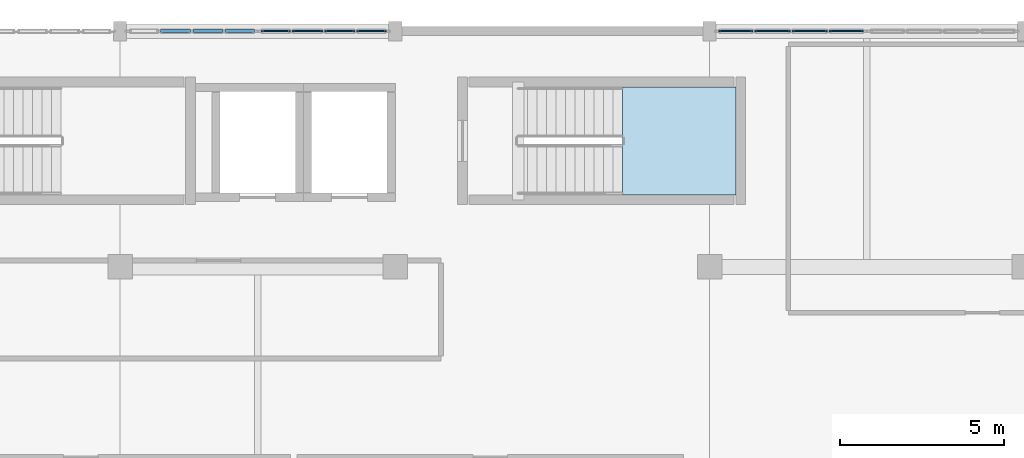
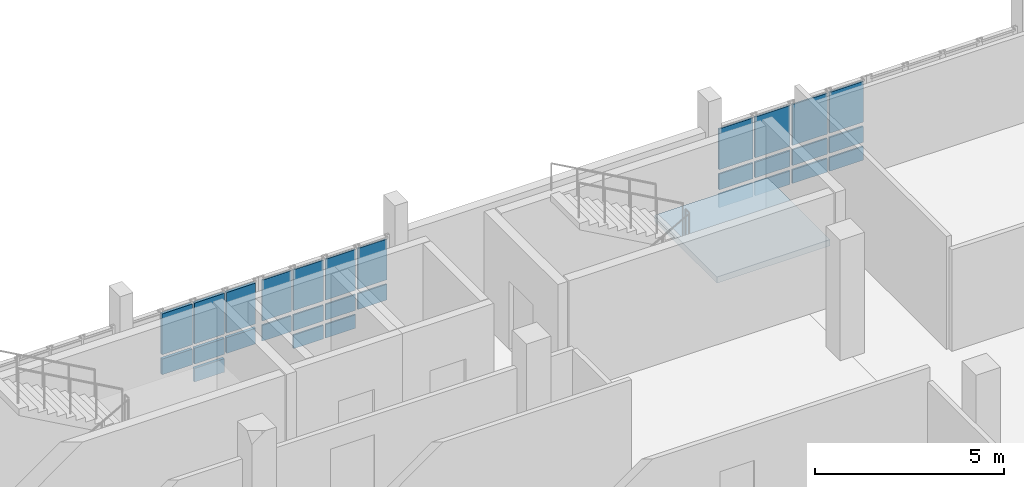
# One storey, part 165 of 188: 29 plates, 1 slab, 4 elements without a shape of their own.
"""IFC4 building model written with IfcOpenShell, lengths in metres."""

from ifc_helpers import new_model, si_unit, direction, frame, origin, origin_2d, place, context, subcontext, project, spatial, polyline, rectangle, outline, extrude, material, layer, layer_set, type_object, element, aggregate, save


model = new_model("IFC4")

# Units and contexts
model_context = context("Model", 3, precision=1e-05, world=origin(), true_north=direction((0.0, 1.0)))
body_context = subcontext(model_context, "Body", "Model", "MODEL_VIEW")
ifc_project = project(units=[si_unit("LENGTHUNIT", "METRE"), si_unit("AREAUNIT", "SQUARE_METRE"), si_unit("VOLUMEUNIT", "CUBIC_METRE"), si_unit("PLANEANGLEUNIT", "RADIAN"), si_unit("MASSUNIT", "GRAM", prefix="KILO")], contexts=[model_context])

# Site, building, storey
site_placement = place(None, origin())
site = spatial("IfcSite", under=ifc_project, at=site_placement, CompositionType="ELEMENT")
building_placement = place(site_placement, origin())
building = spatial("IfcBuilding", under=site, at=building_placement, Name="Kisaragi Civic Commons", CompositionType="ELEMENT")
storey_placement = place(building_placement, frame((0.0, 0.0, 9.60009765625)))
storey = spatial("IfcBuildingStorey", under=building, at=storey_placement, Name="L02", CompositionType="ELEMENT", Elevation=9.60009765625)

# Curtain wall, plates
ifc_material_1 = material(Name="Thermally broken anodized aluminium and low-E double glazing", Category="aluminium")
ifc_layer_1 = layer(ifc_material_1, 0.179931640625, Name="Thermally broken anodized aluminium and low-E double glazing", Category="aluminium")
ifc_layer_set_1 = layer_set([ifc_layer_1], Name="Thermally broken anodized aluminium and low-E double glazing")
curtain_wall_type = type_object("IfcCurtainWallType", Name="CW-01", PredefinedType="NOTDEFINED", material=ifc_layer_set_1)
curtain_wall_1_placement = place(storey_placement, origin())
curtain_wall_1 = element("IfcCurtainWall", 1, at=curtain_wall_1_placement, inside=storey, type_object=curtain_wall_type, Name="L02 curtain wall CW-01 CW-V4-L02-083", PredefinedType="NOTDEFINED")
ifc_layer_2 = layer(ifc_material_1, 0.0859375, Name="Thermally broken anodized aluminium and low-E double glazing", Category="aluminium")
ifc_layer_set_2 = layer_set([ifc_layer_2], Name="Thermally broken anodized aluminium and low-E double glazing")
plate_type_1 = type_object("IfcPlateType", Name="CWP-12", PredefinedType="CURTAIN_PANEL", material=ifc_layer_set_2)
plate_1_placement = place(storey_placement, frame((107.29443359375, 118.800048828125, 0.7197265625), z_axis=(0.0, 0.0, 1.0), x_axis=(1.0, 0.0, 0.0)))
plate_1 = element("IfcPlate", 2, at=plate_1_placement, type_object=plate_type_1, Name="CW-01 panel 2.2", PredefinedType="CURTAIN_PANEL", context=body_context, shape_type="SweptSolid", body=[
    extrude(rectangle(XDim=0.921142578125, YDim=0.0859375, at=origin_2d()), origin(), (0.0, 0.0, 1.0), 0.510009765625),
])
plate_2_placement = place(storey_placement, frame((107.29443359375, 118.800048828125, 1.36962890625), z_axis=(0.0, 0.0, 1.0), x_axis=(1.0, 0.0, 0.0)))
plate_2 = element("IfcPlate", 3, at=plate_2_placement, type_object=plate_type_1, Name="CW-01 panel 2.3", PredefinedType="CURTAIN_PANEL", context=body_context, shape_type="SweptSolid", body=[
    extrude(rectangle(XDim=0.921142578125, YDim=0.0859375, at=origin_2d()), origin(), (0.0, 0.0, 1.0), 1.320068359375),
])
plate_3_placement = place(storey_placement, frame((108.280517578125, 118.800048828125, 0.139892578125), z_axis=(0.0, 0.0, 1.0), x_axis=(1.0, 0.0, 0.0)))
plate_3 = element("IfcPlate", 4, at=plate_3_placement, type_object=plate_type_1, Name="CW-01 panel 3.1", PredefinedType="CURTAIN_PANEL", context=body_context, shape_type="SweptSolid", body=[
    extrude(rectangle(XDim=0.921142578125, YDim=0.0859375, at=origin_2d()), origin(), (0.0, 0.0, 1.0), 0.43994140625),
])
plate_4_placement = place(storey_placement, frame((108.280517578125, 118.800048828125, 0.7197265625), z_axis=(0.0, 0.0, 1.0), x_axis=(1.0, 0.0, 0.0)))
plate_4 = element("IfcPlate", 5, at=plate_4_placement, type_object=plate_type_1, Name="CW-01 panel 3.2", PredefinedType="CURTAIN_PANEL", context=body_context, shape_type="SweptSolid", body=[
    extrude(rectangle(XDim=0.921142578125, YDim=0.0859375, at=origin_2d()), origin(), (0.0, 0.0, 1.0), 0.510009765625),
])
plate_5_placement = place(storey_placement, frame((108.280517578125, 118.800048828125, 1.36962890625), z_axis=(0.0, 0.0, 1.0), x_axis=(1.0, 0.0, 0.0)))
plate_5 = element("IfcPlate", 6, at=plate_5_placement, type_object=plate_type_1, Name="CW-01 panel 3.3", PredefinedType="CURTAIN_PANEL", context=body_context, shape_type="SweptSolid", body=[
    extrude(rectangle(XDim=0.921142578125, YDim=0.0859375, at=origin_2d()), origin(), (0.0, 0.0, 1.0), 1.320068359375),
])
plate_6_placement = place(storey_placement, frame((109.250732421875, 118.800048828125, 0.7197265625), z_axis=(0.0, 0.0, 1.0), x_axis=(1.0, 0.0, 0.0)))
plate_6 = element("IfcPlate", 7, at=plate_6_placement, type_object=plate_type_1, Name="CW-01 panel 4.2", PredefinedType="CURTAIN_PANEL", context=body_context, shape_type="SweptSolid", body=[
    extrude(rectangle(XDim=0.888671875, YDim=0.0859375, at=origin_2d()), origin(), (0.0, 0.0, 1.0), 0.510009765625),
])
plate_7_placement = place(storey_placement, frame((109.250732421875, 118.800048828125, 1.36962890625), z_axis=(0.0, 0.0, 1.0), x_axis=(1.0, 0.0, 0.0)))
plate_7 = element("IfcPlate", 8, at=plate_7_placement, type_object=plate_type_1, Name="CW-01 panel 4.3", PredefinedType="CURTAIN_PANEL", context=body_context, shape_type="SweptSolid", body=[
    extrude(rectangle(XDim=0.888671875, YDim=0.0859375, at=origin_2d()), origin(), (0.0, 0.0, 1.0), 1.320068359375),
])
aggregate(curtain_wall_1, [plate_1, plate_2, plate_3, plate_4, plate_5, plate_6, plate_7])

curtain_wall_2_placement = place(storey_placement, origin())
curtain_wall_2 = element("IfcCurtainWall", 9, at=curtain_wall_2_placement, inside=storey, type_object=curtain_wall_type, Name="L02 curtain wall CW-01 CW-V4-L02-084", PredefinedType="NOTDEFINED")
ifc_layer_3 = layer(ifc_material_1, 0.0458984375, Name="Thermally broken anodized aluminium and low-E double glazing", Category="aluminium")
ifc_layer_set_3 = layer_set([ifc_layer_3], Name="Thermally broken anodized aluminium and low-E double glazing")
plate_type_2 = type_object("IfcPlateType", Name="CWP-13", PredefinedType="CURTAIN_PANEL", material=ifc_layer_set_3)
plate_8_placement = place(storey_placement, frame((110.349365234375, 118.800048828125, 0.7197265625), z_axis=(0.0, 0.0, 1.0), x_axis=(1.0, 0.0, 0.0)))
plate_8 = element("IfcPlate", 10, at=plate_8_placement, type_object=plate_type_2, Name="CW-01 panel 1.2", PredefinedType="CURTAIN_PANEL", context=body_context, shape_type="SweptSolid", body=[
    extrude(rectangle(XDim=0.888671875, YDim=0.0458984375, at=origin_2d()), origin(), (0.0, 0.0, 1.0), 0.510009765625),
])
plate_9_placement = place(storey_placement, frame((110.349365234375, 118.800048828125, 1.36962890625), z_axis=(0.0, 0.0, 1.0), x_axis=(1.0, 0.0, 0.0)))
plate_9 = element("IfcPlate", 11, at=plate_9_placement, type_object=plate_type_2, Name="CW-01 panel 1.3", PredefinedType="CURTAIN_PANEL", context=body_context, shape_type="SweptSolid", body=[
    extrude(rectangle(XDim=0.888671875, YDim=0.0458984375, at=origin_2d()), origin(), (0.0, 0.0, 1.0), 1.320068359375),
])
plate_10_placement = place(storey_placement, frame((111.3193359375, 118.800048828125, 0.139892578125), z_axis=(0.0, 0.0, 1.0), x_axis=(1.0, 0.0, 0.0)))
plate_10 = element("IfcPlate", 12, at=plate_10_placement, type_object=plate_type_2, Name="CW-01 panel 2.1", PredefinedType="CURTAIN_PANEL", context=body_context, shape_type="SweptSolid", body=[
    extrude(rectangle(XDim=0.921142578125, YDim=0.0458984375, at=origin_2d()), origin(), (0.0, 0.0, 1.0), 0.43994140625),
])
plate_11_placement = place(storey_placement, frame((111.3193359375, 118.800048828125, 0.7197265625), z_axis=(0.0, 0.0, 1.0), x_axis=(1.0, 0.0, 0.0)))
plate_11 = element("IfcPlate", 13, at=plate_11_placement, type_object=plate_type_2, Name="CW-01 panel 2.2", PredefinedType="CURTAIN_PANEL", context=body_context, shape_type="SweptSolid", body=[
    extrude(rectangle(XDim=0.921142578125, YDim=0.0458984375, at=origin_2d()), origin(), (0.0, 0.0, 1.0), 0.510009765625),
])
plate_12_placement = place(storey_placement, frame((111.3193359375, 118.800048828125, 1.36962890625), z_axis=(0.0, 0.0, 1.0), x_axis=(1.0, 0.0, 0.0)))
plate_12 = element("IfcPlate", 14, at=plate_12_placement, type_object=plate_type_2, Name="CW-01 panel 2.3", PredefinedType="CURTAIN_PANEL", context=body_context, shape_type="SweptSolid", body=[
    extrude(rectangle(XDim=0.921142578125, YDim=0.0458984375, at=origin_2d()), origin(), (0.0, 0.0, 1.0), 1.320068359375),
])
plate_13_placement = place(storey_placement, frame((112.3056640625, 118.800048828125, 0.139892578125), z_axis=(0.0, 0.0, 1.0), x_axis=(1.0, 0.0, 0.0)))
plate_13 = element("IfcPlate", 15, at=plate_13_placement, type_object=plate_type_2, Name="CW-01 panel 3.1", PredefinedType="CURTAIN_PANEL", context=body_context, shape_type="SweptSolid", body=[
    extrude(rectangle(XDim=0.921142578125, YDim=0.0458984375, at=origin_2d()), origin(), (0.0, 0.0, 1.0), 0.43994140625),
])
plate_14_placement = place(storey_placement, frame((112.3056640625, 118.800048828125, 0.7197265625), z_axis=(0.0, 0.0, 1.0), x_axis=(1.0, 0.0, 0.0)))
plate_14 = element("IfcPlate", 16, at=plate_14_placement, type_object=plate_type_2, Name="CW-01 panel 3.2", PredefinedType="CURTAIN_PANEL", context=body_context, shape_type="SweptSolid", body=[
    extrude(rectangle(XDim=0.921142578125, YDim=0.0458984375, at=origin_2d()), origin(), (0.0, 0.0, 1.0), 0.510009765625),
])
plate_15_placement = place(storey_placement, frame((112.3056640625, 118.800048828125, 1.36962890625), z_axis=(0.0, 0.0, 1.0), x_axis=(1.0, 0.0, 0.0)))
plate_15 = element("IfcPlate", 17, at=plate_15_placement, type_object=plate_type_2, Name="CW-01 panel 3.3", PredefinedType="CURTAIN_PANEL", context=body_context, shape_type="SweptSolid", body=[
    extrude(rectangle(XDim=0.921142578125, YDim=0.0458984375, at=origin_2d()), origin(), (0.0, 0.0, 1.0), 1.320068359375),
])
plate_16_placement = place(storey_placement, frame((113.275634765625, 118.800048828125, 0.7197265625), z_axis=(0.0, 0.0, 1.0), x_axis=(1.0, 0.0, 0.0)))
plate_16 = element("IfcPlate", 18, at=plate_16_placement, type_object=plate_type_2, Name="CW-01 panel 4.2", PredefinedType="CURTAIN_PANEL", context=body_context, shape_type="SweptSolid", body=[
    extrude(rectangle(XDim=0.888671875, YDim=0.0458984375, at=origin_2d()), origin(), (0.0, 0.0, 1.0), 0.510009765625),
])
plate_17_placement = place(storey_placement, frame((113.275634765625, 118.800048828125, 1.36962890625), z_axis=(0.0, 0.0, 1.0), x_axis=(1.0, 0.0, 0.0)))
plate_17 = element("IfcPlate", 19, at=plate_17_placement, type_object=plate_type_2, Name="CW-01 panel 4.3", PredefinedType="CURTAIN_PANEL", context=body_context, shape_type="SweptSolid", body=[
    extrude(rectangle(XDim=0.888671875, YDim=0.0458984375, at=origin_2d()), origin(), (0.0, 0.0, 1.0), 1.320068359375),
])
aggregate(curtain_wall_2, [plate_8, plate_9, plate_10, plate_11, plate_12, plate_13, plate_14, plate_15, plate_16, plate_17])

curtain_wall_3_placement = place(storey_placement, origin())
curtain_wall_3 = element("IfcCurtainWall", 20, at=curtain_wall_3_placement, inside=storey, type_object=curtain_wall_type, Name="L02 curtain wall CW-01 CW-V4-L02-085", PredefinedType="NOTDEFINED")
ifc_layer_4 = layer(ifc_material_1, 0.050048828125, Name="Thermally broken anodized aluminium and low-E double glazing", Category="aluminium")
ifc_layer_set_4 = layer_set([ifc_layer_4], Name="Thermally broken anodized aluminium and low-E double glazing")
plate_type_3 = type_object("IfcPlateType", Name="CWP-14", PredefinedType="CURTAIN_PANEL", material=ifc_layer_set_4)
plate_18_placement = place(storey_placement, frame((124.3994140625, 118.800048828125, 0.139892578125), z_axis=(0.0, 0.0, 1.0), x_axis=(1.0, 0.0, 0.0)))
plate_18 = element("IfcPlate", 21, at=plate_18_placement, type_object=plate_type_3, Name="CW-01 panel 1.1", PredefinedType="CURTAIN_PANEL", context=body_context, shape_type="SweptSolid", body=[
    extrude(rectangle(XDim=1.038818359375, YDim=0.050048828125, at=origin_2d()), origin(), (0.0, 0.0, 1.0), 0.43994140625),
])
plate_19_placement = place(storey_placement, frame((124.3994140625, 118.800048828125, 0.7197265625), z_axis=(0.0, 0.0, 1.0), x_axis=(1.0, 0.0, 0.0)))
plate_19 = element("IfcPlate", 22, at=plate_19_placement, type_object=plate_type_3, Name="CW-01 panel 1.2", PredefinedType="CURTAIN_PANEL", context=body_context, shape_type="SweptSolid", body=[
    extrude(rectangle(XDim=1.038818359375, YDim=0.050048828125, at=origin_2d()), origin(), (0.0, 0.0, 1.0), 0.510009765625),
])
plate_20_placement = place(storey_placement, frame((124.3994140625, 118.800048828125, 1.36962890625), z_axis=(0.0, 0.0, 1.0), x_axis=(1.0, 0.0, 0.0)))
plate_20 = element("IfcPlate", 23, at=plate_20_placement, type_object=plate_type_3, Name="CW-01 panel 1.3", PredefinedType="CURTAIN_PANEL", context=body_context, shape_type="SweptSolid", body=[
    extrude(rectangle(XDim=1.038818359375, YDim=0.050048828125, at=origin_2d()), origin(), (0.0, 0.0, 1.0), 1.320068359375),
])
plate_21_placement = place(storey_placement, frame((125.519287109375, 118.800048828125, 0.139892578125), z_axis=(0.0, 0.0, 1.0), x_axis=(1.0, 0.0, 0.0)))
plate_21 = element("IfcPlate", 24, at=plate_21_placement, type_object=plate_type_3, Name="CW-01 panel 2.1", PredefinedType="CURTAIN_PANEL", context=body_context, shape_type="SweptSolid", body=[
    extrude(rectangle(XDim=1.0712890625, YDim=0.050048828125, at=origin_2d()), origin(), (0.0, 0.0, 1.0), 0.43994140625),
])
plate_22_placement = place(storey_placement, frame((125.519287109375, 118.800048828125, 0.7197265625), z_axis=(0.0, 0.0, 1.0), x_axis=(1.0, 0.0, 0.0)))
plate_22 = element("IfcPlate", 25, at=plate_22_placement, type_object=plate_type_3, Name="CW-01 panel 2.2", PredefinedType="CURTAIN_PANEL", context=body_context, shape_type="SweptSolid", body=[
    extrude(rectangle(XDim=1.0712890625, YDim=0.050048828125, at=origin_2d()), origin(), (0.0, 0.0, 1.0), 0.510009765625),
])
plate_23_placement = place(storey_placement, frame((125.519287109375, 118.800048828125, 1.36962890625), z_axis=(0.0, 0.0, 1.0), x_axis=(1.0, 0.0, 0.0)))
plate_23 = element("IfcPlate", 26, at=plate_23_placement, type_object=plate_type_3, Name="CW-01 panel 2.3", PredefinedType="CURTAIN_PANEL", context=body_context, shape_type="SweptSolid", body=[
    extrude(rectangle(XDim=1.0712890625, YDim=0.050048828125, at=origin_2d()), origin(), (0.0, 0.0, 1.0), 1.320068359375),
])
plate_24_placement = place(storey_placement, frame((126.655517578125, 118.800048828125, 0.139892578125), z_axis=(0.0, 0.0, 1.0), x_axis=(1.0, 0.0, 0.0)))
plate_24 = element("IfcPlate", 27, at=plate_24_placement, type_object=plate_type_3, Name="CW-01 panel 3.1", PredefinedType="CURTAIN_PANEL", context=body_context, shape_type="SweptSolid", body=[
    extrude(rectangle(XDim=1.0712890625, YDim=0.050048828125, at=origin_2d()), origin(), (0.0, 0.0, 1.0), 0.43994140625),
])
plate_25_placement = place(storey_placement, frame((126.655517578125, 118.800048828125, 0.7197265625), z_axis=(0.0, 0.0, 1.0), x_axis=(1.0, 0.0, 0.0)))
plate_25 = element("IfcPlate", 28, at=plate_25_placement, type_object=plate_type_3, Name="CW-01 panel 3.2", PredefinedType="CURTAIN_PANEL", context=body_context, shape_type="SweptSolid", body=[
    extrude(rectangle(XDim=1.0712890625, YDim=0.050048828125, at=origin_2d()), origin(), (0.0, 0.0, 1.0), 0.510009765625),
])
plate_26_placement = place(storey_placement, frame((126.655517578125, 118.800048828125, 1.36962890625), z_axis=(0.0, 0.0, 1.0), x_axis=(1.0, 0.0, 0.0)))
plate_26 = element("IfcPlate", 29, at=plate_26_placement, type_object=plate_type_3, Name="CW-01 panel 3.3", PredefinedType="CURTAIN_PANEL", context=body_context, shape_type="SweptSolid", body=[
    extrude(rectangle(XDim=1.0712890625, YDim=0.050048828125, at=origin_2d()), origin(), (0.0, 0.0, 1.0), 1.320068359375),
])
plate_27_placement = place(storey_placement, frame((127.775634765625, 118.800048828125, 0.139892578125), z_axis=(0.0, 0.0, 1.0), x_axis=(1.0, 0.0, 0.0)))
plate_27 = element("IfcPlate", 30, at=plate_27_placement, type_object=plate_type_3, Name="CW-01 panel 4.1", PredefinedType="CURTAIN_PANEL", context=body_context, shape_type="SweptSolid", body=[
    extrude(rectangle(XDim=1.038818359375, YDim=0.050048828125, at=origin_2d()), origin(), (0.0, 0.0, 1.0), 0.43994140625),
])
plate_28_placement = place(storey_placement, frame((127.775634765625, 118.800048828125, 0.7197265625), z_axis=(0.0, 0.0, 1.0), x_axis=(1.0, 0.0, 0.0)))
plate_28 = element("IfcPlate", 31, at=plate_28_placement, type_object=plate_type_3, Name="CW-01 panel 4.2", PredefinedType="CURTAIN_PANEL", context=body_context, shape_type="SweptSolid", body=[
    extrude(rectangle(XDim=1.038818359375, YDim=0.050048828125, at=origin_2d()), origin(), (0.0, 0.0, 1.0), 0.510009765625),
])
plate_29_placement = place(storey_placement, frame((127.775634765625, 118.800048828125, 1.36962890625), z_axis=(0.0, 0.0, 1.0), x_axis=(1.0, 0.0, 0.0)))
plate_29 = element("IfcPlate", 32, at=plate_29_placement, type_object=plate_type_3, Name="CW-01 panel 4.3", PredefinedType="CURTAIN_PANEL", context=body_context, shape_type="SweptSolid", body=[
    extrude(rectangle(XDim=1.038818359375, YDim=0.050048828125, at=origin_2d()), origin(), (0.0, 0.0, 1.0), 1.320068359375),
])
aggregate(curtain_wall_3, [plate_18, plate_19, plate_20, plate_21, plate_22, plate_23, plate_24, plate_25, plate_26, plate_27, plate_28, plate_29])

# Stair, slab
ifc_material_2 = material(Name="Concrete Fc30", Category="concrete")
stair_type = type_object("IfcStairType", Name="ST-A", PredefinedType="HALF_TURN_STAIR", material=ifc_material_2)
stair_placement = place(storey_placement, origin())
stair = element("IfcStair", 33, at=stair_placement, inside=storey, type_object=stair_type, Name="L02 Stair ST-L2", PredefinedType="HALF_TURN_STAIR")
ifc_layer_5 = layer(ifc_material_2, 0.199951171875, Name="Concrete Fc30", Category="concrete")
ifc_layer_set_5 = layer_set([ifc_layer_5], Name="Concrete Fc30")
slab_type = type_object("IfcSlabType", Name="STL-01", PredefinedType="LANDING", material=ifc_layer_set_5)
slab_placement = place(storey_placement, frame((0.0, 0.0, 1.75)))
slab = element("IfcSlab", 34, at=slab_placement, type_object=slab_type, Name="ST-L2 landing 1", PredefinedType="LANDING", context=body_context, shape_type="SweptSolid", body=[
    extrude(outline(polyline([(120.93994140625, 113.800048828125), (124.39990234375, 113.800048828125), (124.39990234375, 117.10009765625), (120.93994140625, 117.10009765625), (120.93994140625, 113.800048828125)])), origin(), (0.0, 0.0, 1.0), 0.199951171875),
])
aggregate(stair, [slab])

save(model, "model.ifc")
